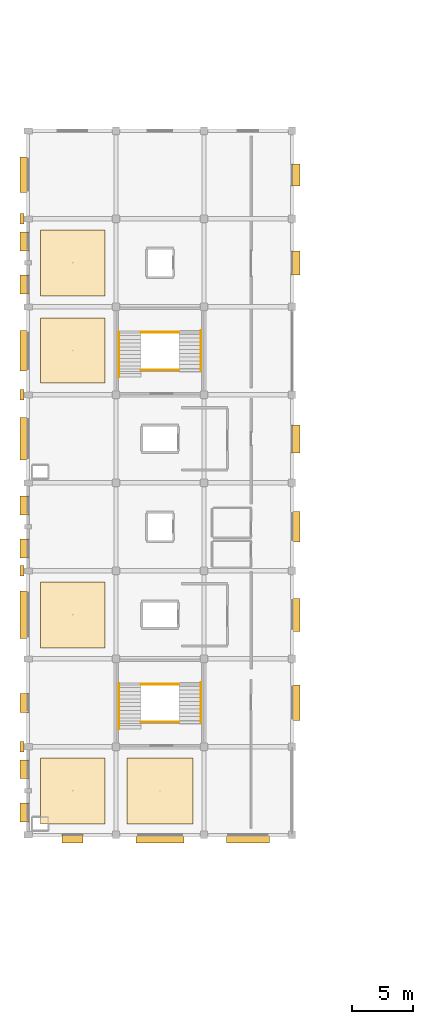
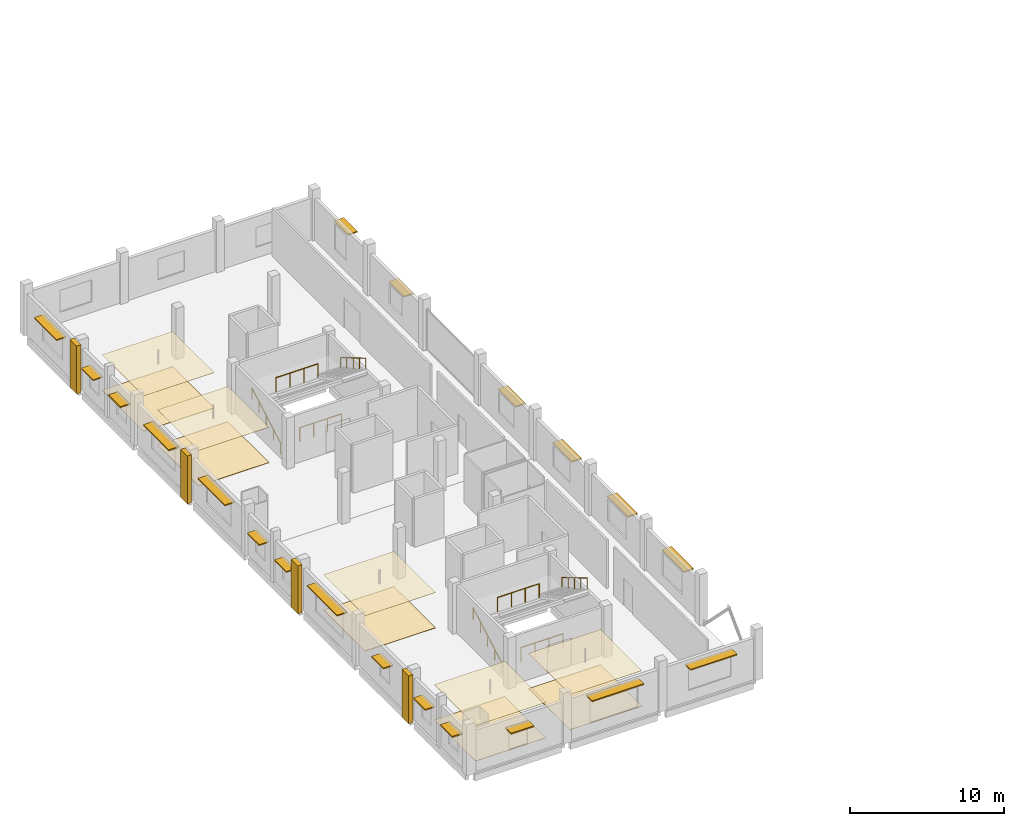
# One storey, part 25 of 26: 20 shading devices, 14 coverings, 8 railings.
"""IFC4 building model written with IfcOpenShell, lengths in metres."""

import ifcopenshell
import ifcopenshell.guid

model = None  # the IFC model being written
_history = None  # IfcOwnerHistory: only IFC2X3 demands one
_inside = {}  # id of a spatial element -> (the spatial element, [elements in it])
_under = {}  # id of a project, library or spatial element -> (it, [spatial elements below it])
_declared = {}  # id of a project -> (the project, [libraries it declares])
_typed = {}  # id of a type object -> (the type object, [elements of that type])
_made_of = {}  # id of a material, layer set ... -> (it, [elements and type objects made of it])


def new_model(schema):
    """Start an empty IFC model of exactly this schema.

    Asked for "IFC4X3", IfcOpenShell would pick the latest addendum, in which some entities
    have other attributes; the version numbers below select the first issue.
    IFC2X3 requires an IfcOwnerHistory on every rooted entity: one is made here for all.
    """
    global model, _history
    if schema == "IFC4X3":
        model = ifcopenshell.file(schema_version=(4, 3, 0, 0))
    else:
        model = ifcopenshell.file(schema=schema)
    _inside.clear()
    _under.clear()
    _declared.clear()
    _typed.clear()
    _made_of.clear()
    _history = None
    if model.schema == "IFC2X3":
        org = make("IfcOrganization", Name="unknown")
        user = make(
            "IfcPersonAndOrganization",
            ThePerson=make("IfcPerson", FamilyName="unknown"),
            TheOrganization=org,
        )
        app = make(
            "IfcApplication",
            ApplicationDeveloper=org,
            Version="unknown",
            ApplicationFullName="unknown",
            ApplicationIdentifier="unknown",
        )
        _history = make(
            "IfcOwnerHistory",
            OwningUser=user,
            OwningApplication=app,
            ChangeAction="ADDED",
            CreationDate=0,
        )
    return model


def make(cls, **values):
    """One entity of the class cls with the attributes given. An attribute that is None is left unset."""
    return model.create_entity(
        cls, **{name: value for name, value in values.items() if value is not None}
    )


def rooted(cls, **values):
    """An entity with a GlobalId (a new one), such as an element, a storey or a relation."""
    return make(cls, GlobalId=ifcopenshell.guid.new(), OwnerHistory=_history, **values)


def si_unit(unit_type, name, prefix=None):
    """IfcSIUnit, for example si_unit("LENGTHUNIT", "METRE", prefix="MILLI")."""
    return make("IfcSIUnit", UnitType=unit_type, Prefix=prefix, Name=name)


def assignment(units):
    """IfcUnitAssignment: the units of a project."""
    return None if units is None else make("IfcUnitAssignment", Units=units)


def point(xyz):
    """IfcCartesianPoint."""
    return None if xyz is None else make("IfcCartesianPoint", Coordinates=xyz)


def direction(xyz):
    """IfcDirection."""
    return None if xyz is None else make("IfcDirection", DirectionRatios=xyz)


def frame(location, z_axis=None, x_axis=None):
    """IfcAxis2Placement3D, a coordinate frame: its origin and axes. An axis left out is left unset."""
    return make(
        "IfcAxis2Placement3D",
        Location=point(location),
        Axis=direction(z_axis),
        RefDirection=direction(x_axis),
    )


def frame_2d(location, x_axis=None):
    """IfcAxis2Placement2D, a coordinate frame in the plane: its origin and x axis."""
    return make(
        "IfcAxis2Placement2D", Location=point(location), RefDirection=direction(x_axis)
    )


def origin():
    """The frame at (0, 0, 0) with its axes left unset."""
    return frame((0.0, 0.0, 0.0))


def origin_2d():
    """The frame at (0, 0) in the plane with its x axis left unset."""
    return frame_2d((0.0, 0.0))


def place(relative_to, where):
    """IfcLocalPlacement: puts the frame where relative to a parent placement (None: the world)."""
    return make(
        "IfcLocalPlacement", PlacementRelTo=relative_to, RelativePlacement=where
    )


def context(
    kind, dimensions, precision=None, world=None, true_north=None, identifier=None
):
    """IfcGeometricRepresentationContext, for example the 3D "Model" context."""
    return make(
        "IfcGeometricRepresentationContext",
        ContextIdentifier=identifier,
        ContextType=kind,
        CoordinateSpaceDimension=dimensions,
        Precision=precision,
        WorldCoordinateSystem=world,
        TrueNorth=true_north,
    )


def subcontext(parent, identifier, kind, view, scale=None):
    """IfcGeometricRepresentationSubContext, for example "Body" below "Model"."""
    return make(
        "IfcGeometricRepresentationSubContext",
        ContextIdentifier=identifier,
        ContextType=kind,
        ParentContext=parent,
        TargetScale=scale,
        TargetView=view,
    )


def project(units=None, contexts=None):
    """IfcProject with its units and contexts."""
    return rooted(
        "IfcProject",
        Name="project",
        RepresentationContexts=contexts,
        UnitsInContext=assignment(units),
    )


def spatial(cls, under=None, at=None, **own):
    """A site, building, storey or space (cls), placed at a placement, below another one or the project."""
    s = rooted(cls, ObjectPlacement=at, **own)
    if under is not None:
        _under.setdefault(under.id(), (under, []))[1].append(s)
    return s


def polyline(points):
    """IfcPolyline through the points."""
    return make("IfcPolyline", Points=[point(p) for p in points])


def profile(cls, at=None, kind="AREA", **sizes):
    """A parametric profile (cls). Its sizes go by their IFC names, for example OverallWidth=200.0."""
    return make(cls, ProfileType=kind, Position=at, **sizes)


def rectangle(**sizes):
    """IfcRectangleProfileDef."""
    return profile("IfcRectangleProfileDef", **sizes)


def circle(**sizes):
    """IfcCircleProfileDef."""
    return profile("IfcCircleProfileDef", **sizes)


def outline(outer, holes=None, kind="AREA"):
    """IfcArbitraryClosedProfileDef: a profile drawn as a closed curve; with holes, ...WithVoids."""
    if holes is None:
        return make("IfcArbitraryClosedProfileDef", ProfileType=kind, OuterCurve=outer)
    return make(
        "IfcArbitraryProfileDefWithVoids",
        ProfileType=kind,
        OuterCurve=outer,
        InnerCurves=holes,
    )


def extrude(swept, where, along, depth):
    """IfcExtrudedAreaSolid: the profile swept, set in the frame where, extruded along a direction by depth."""
    return make(
        "IfcExtrudedAreaSolid",
        SweptArea=swept,
        Position=where,
        ExtrudedDirection=direction(along),
        Depth=depth,
    )


def shape(context_of_items, identifier, shape_type, items):
    """IfcShapeRepresentation: the items that make up one representation, for example the "Body"."""
    return make(
        "IfcShapeRepresentation",
        ContextOfItems=context_of_items,
        RepresentationIdentifier=identifier,
        RepresentationType=shape_type,
        Items=items,
    )


def material(Name=None, Category=None):
    """IfcMaterial."""
    return make("IfcMaterial", Name=Name, Category=Category)


def layer(
    of_material, thickness, ventilated=None, Name=None, Category=None, Priority=None
):
    """IfcMaterialLayer: one layer of a wall or slab, of a material (None: an air gap)."""
    return make(
        "IfcMaterialLayer",
        Material=of_material,
        LayerThickness=thickness,
        IsVentilated=ventilated,
        Name=Name,
        Category=Category,
        Priority=Priority,
    )


def layer_set(layers, Name=None):
    """IfcMaterialLayerSet."""
    return make("IfcMaterialLayerSet", MaterialLayers=layers, LayerSetName=Name)


def made_of(thing, what):
    """Note that an element or type object is made of a material, layer set ...; save() writes the relation."""
    if what is not None:
        _made_of.setdefault(what.id(), (what, []))[1].append(thing)
    return thing


def type_object(cls, material=None, **own):
    """A type object (cls), such as IfcWallType, which elements share."""
    return made_of(rooted(cls, **own), material)


def element(
    cls,
    number,
    at=None,
    inside=None,
    cuts=None,
    type_object=None,
    material=None,
    context=None,
    identifier="Body",
    shape_type=None,
    held_by="IfcProductDefinitionShape",
    body=None,
    shapes=None,
    **own,
):
    """One element of the class cls, such as IfcWall. Its Tag is "e" and its number.

    at: its placement. inside: the storey or other place that contains it. cuts: it is an
    opening in that element (IfcRelVoidsElement). A single representation is given by context,
    identifier, shape_type and body (its items); several are given by shapes. held_by: the class
    of the entity that holds the representations. save() writes the other relations.
    """
    e = rooted(cls, Tag="e%d" % number, ObjectPlacement=at, **own)
    if body is not None:
        shapes = [shape(context, identifier, shape_type, body)]
    if shapes is not None:
        e.Representation = make(held_by, Representations=shapes)
    if inside is not None:
        _inside.setdefault(inside.id(), (inside, []))[1].append(e)
    if cuts is not None:
        rooted(
            "IfcRelVoidsElement", RelatingBuildingElement=cuts, RelatedOpeningElement=e
        )
    if type_object is not None:
        _typed.setdefault(type_object.id(), (type_object, []))[1].append(e)
    return made_of(e, material)


def aggregate(whole, parts):
    """IfcRelAggregates: a whole, such as a stair, and the parts it consists of."""
    return rooted("IfcRelAggregates", RelatingObject=whole, RelatedObjects=parts)


def save(model, path):
    """Write the relations noted so far, then the file.

    IfcRelAggregates (storeys below a building ...), IfcRelContainedInSpatialStructure (elements
    in a storey), IfcRelDefinesByType, IfcRelAssociatesMaterial and IfcRelDeclares: one each for
    every whole, place, type object, material and project.
    """
    for whole, parts in _under.values():
        aggregate(whole, parts)
    for where, things in _inside.values():
        rooted(
            "IfcRelContainedInSpatialStructure",
            RelatedElements=things,
            RelatingStructure=where,
        )
    for kind, things in _typed.values():
        rooted("IfcRelDefinesByType", RelatedObjects=things, RelatingType=kind)
    for what, things in _made_of.values():
        rooted("IfcRelAssociatesMaterial", RelatedObjects=things, RelatingMaterial=what)
    for by, libraries in _declared.values():
        rooted("IfcRelDeclares", RelatingContext=by, RelatedDefinitions=libraries)
    model.write(path)


model = new_model("IFC4")

# Units and contexts
model_context = context("Model", 3, precision=1e-05, world=origin(), true_north=direction((0.0, 1.0)))
body_context = subcontext(model_context, "Body", "Model", "MODEL_VIEW")
ifc_project = project(units=[si_unit("LENGTHUNIT", "METRE"), si_unit("AREAUNIT", "SQUARE_METRE"), si_unit("VOLUMEUNIT", "CUBIC_METRE"), si_unit("PLANEANGLEUNIT", "RADIAN"), si_unit("MASSUNIT", "GRAM", prefix="KILO")], contexts=[model_context])

# Site, building, storey
site_placement = place(None, origin())
site = spatial("IfcSite", under=ifc_project, at=site_placement, CompositionType="ELEMENT")
building_placement = place(site_placement, origin())
building = spatial("IfcBuilding", under=site, at=building_placement, Name="Kangsadwip Square Police Headquarters", CompositionType="ELEMENT")
storey_placement = place(building_placement, frame((0.0, 0.0, 25.64990234375)))
storey = spatial("IfcBuildingStorey", under=building, at=storey_placement, Name="L06", CompositionType="ELEMENT", Elevation=25.64990234375)

# Railings
ifc_material_1 = material(Name="Structural steel IS 2062 E250 (Grade 250, 250 MPa)", Category="steel")
railing_type_1 = type_object("IfcRailingType", Name="BalustradeGuard1100", PredefinedType="BALUSTRADE", material=ifc_material_1)
for number, where, name in (
    (1, (9.22998046875, 45.239990234375, 0.0), "Stair Guard ST-01 L06-28"),
    (2, (9.22998046875, 48.320068359375, 2.106201171875), "Stair Guard ST-01 L06-29"),
    (3, (9.22998046875, 74.0400390625, 0.0), "Stair Guard ST-02 L06-63"),
    (4, (9.22998046875, 77.1201171875, 2.106201171875), "Stair Guard ST-02 L06-64"),
):
    element("IfcRailing", number, at=place(storey_placement, frame(where)), inside=storey, type_object=railing_type_1, Name=name, PredefinedType="BALUSTRADE", context=body_context, shape_type="SweptSolid", body=[
        extrude(circle(Radius=0.02392578125, at=origin_2d()), frame((0.0, 0.0, 1.09619140625), z_axis=(1.0, 0.0, 0.0), x_axis=(0.0, 1.0, 0.0)), (0.0, 0.0, 1.0), 3.14013671875),
        extrude(circle(Radius=0.02099609375, at=origin_2d()), origin(), (0.0, 0.0, 1.0), 1.072021484375),
        extrude(circle(Radius=0.02099609375, at=origin_2d()), frame((1.046630859375, 0.0, 0.0)), (0.0, 0.0, 1.0), 1.072021484375),
        extrude(circle(Radius=0.02099609375, at=origin_2d()), frame((2.093505859375, 0.0, 0.0)), (0.0, 0.0, 1.0), 1.072021484375),
        extrude(circle(Radius=0.02099609375, at=origin_2d()), frame((3.14013671875, 0.0, 0.0)), (0.0, 0.0, 1.0), 1.072021484375),
    ])

# Coverings
ifc_material_2 = material(Name="Seamless anti-static epoxy and polished Kota stone interior flooring", Category="masonry")
ifc_layer_1 = layer(ifc_material_2, 0.02001953125)
ifc_layer_set_1 = layer_set([ifc_layer_1], Name="Seamless anti-static epoxy and polished Kota stone interior flooring")
covering_type_1 = type_object("IfcCoveringType", Name="InteriorStoneEpoxyFloor", PredefinedType="FLOORING", material=ifc_layer_set_1)
covering_1_placement = place(storey_placement, origin())
element("IfcCovering", 5, at=covering_1_placement, inside=storey, type_object=covering_type_1, Name="Interior Floor Finish L06-176", PredefinedType="FLOORING", context=body_context, shape_type="SweptSolid", body=[
    extrude(outline(polyline([(1.0, 36.89990234375), (6.300048828125, 36.89990234375), (6.300048828125, 42.300048828125), (1.0, 42.300048828125), (1.0, 36.89990234375)])), origin(), (0.0, 0.0, 1.0), 0.02001953125),
])
covering_2_placement = place(storey_placement, origin())
element("IfcCovering", 6, at=covering_2_placement, inside=storey, type_object=covering_type_1, Name="Interior Floor Finish L06-177", PredefinedType="FLOORING", context=body_context, shape_type="SweptSolid", body=[
    extrude(outline(polyline([(8.10009765625, 36.89990234375), (13.5, 36.89990234375), (13.5, 42.300048828125), (8.10009765625, 42.300048828125), (8.10009765625, 36.89990234375)])), origin(), (0.0, 0.0, 1.0), 0.02001953125),
])
covering_3_placement = place(storey_placement, origin())
element("IfcCovering", 7, at=covering_3_placement, inside=storey, type_object=covering_type_1, Name="Interior Floor Finish L06-178", PredefinedType="FLOORING", context=body_context, shape_type="SweptSolid", body=[
    extrude(outline(polyline([(1.0, 51.300048828125), (6.300048828125, 51.300048828125), (6.300048828125, 56.699951171875), (1.0, 56.699951171875), (1.0, 51.300048828125)])), origin(), (0.0, 0.0, 1.0), 0.02001953125),
])
covering_4_placement = place(storey_placement, origin())
element("IfcCovering", 8, at=covering_4_placement, inside=storey, type_object=covering_type_1, Name="Interior Floor Finish L06-179", PredefinedType="FLOORING", context=body_context, shape_type="SweptSolid", body=[
    extrude(outline(polyline([(1.0, 72.949951171875), (6.300048828125, 72.949951171875), (6.300048828125, 78.300048828125), (1.0, 78.300048828125), (1.0, 72.949951171875)])), origin(), (0.0, 0.0, 1.0), 0.02001953125),
])
covering_5_placement = place(storey_placement, origin())
element("IfcCovering", 9, at=covering_5_placement, inside=storey, type_object=covering_type_1, Name="Interior Floor Finish L06-180", PredefinedType="FLOORING", context=body_context, shape_type="SweptSolid", body=[
    extrude(outline(polyline([(1.0, 80.10009765625), (6.300048828125, 80.10009765625), (6.300048828125, 85.5), (1.0, 85.5), (1.0, 80.10009765625)])), origin(), (0.0, 0.0, 1.0), 0.02001953125),
])

# Railings
ifc_material_3 = material(Name="Structural steel IS 2062 E250 (Grade 250, 250 MPa)", Category="steel")
railing_type_2 = type_object("IfcRailingType", Name="StairPitchHandrail900", PredefinedType="HANDRAIL", material=ifc_material_3)
railing_1_placement = place(storey_placement, frame((7.43994140625, 44.639892578125, 0.0)))
element("IfcRailing", 10, at=railing_1_placement, inside=storey, type_object=railing_type_2, Name="Stair Handrail ST-01 L06-30", PredefinedType="HANDRAIL", context=body_context, shape_type="SweptSolid", body=[
    extrude(circle(Radius=0.02392578125, at=origin_2d()), frame((0.0, 0.0, 0.8759765625), z_axis=(0.0, 0.870214817555, 0.49267247874), x_axis=(-1.0, 0.0, 0.0)), (0.0, 0.0, 1.0), 4.275146484375),
    extrude(circle(Radius=0.02099609375, at=origin_2d()), origin(), (0.0, 0.0, 1.0), 0.851806640625),
    extrude(circle(Radius=0.02099609375, at=origin_2d()), frame((0.0, 0.93017578125, 0.526611328125)), (0.0, 0.0, 1.0), 0.851806640625),
    extrude(circle(Radius=0.02099609375, at=origin_2d()), frame((0.0, 1.860107421875, 1.05322265625)), (0.0, 0.0, 1.0), 0.851806640625),
    extrude(circle(Radius=0.02099609375, at=origin_2d()), frame((0.0, 2.7900390625, 1.57958984375)), (0.0, 0.0, 1.0), 0.851806640625),
    extrude(circle(Radius=0.02099609375, at=origin_2d()), frame((0.0, 3.72021484375, 2.106201171875)), (0.0, 0.0, 1.0), 0.851806640625),
])
railing_2_placement = place(storey_placement, frame((14.159912109375, 48.4599609375, 2.106201171875)))
element("IfcRailing", 11, at=railing_2_placement, inside=storey, type_object=railing_type_2, Name="Stair Handrail ST-01 L06-31", PredefinedType="HANDRAIL", context=body_context, shape_type="SweptSolid", body=[
    extrude(circle(Radius=0.02392578125, at=origin_2d()), frame((0.0, 0.0, 0.8759765625), z_axis=(0.0, -0.860276971572, 0.509826962981), x_axis=(1.0, 0.0, 0.0)), (0.0, 0.0, 1.0), 3.812744140625),
    extrude(circle(Radius=0.02099609375, at=origin_2d()), origin(), (0.0, 0.0, 1.0), 0.851806640625),
    extrude(circle(Radius=0.02099609375, at=origin_2d()), frame((0.0, -0.820068359375, 0.48583984375)), (0.0, 0.0, 1.0), 0.851806640625),
    extrude(circle(Radius=0.02099609375, at=origin_2d()), frame((0.0, -1.64013671875, 0.971923828125)), (0.0, 0.0, 1.0), 0.851806640625),
    extrude(circle(Radius=0.02099609375, at=origin_2d()), frame((0.0, -2.4599609375, 1.4580078125)), (0.0, 0.0, 1.0), 0.851806640625),
    extrude(circle(Radius=0.02099609375, at=origin_2d()), frame((0.0, -3.280029296875, 1.94384765625)), (0.0, 0.0, 1.0), 0.851806640625),
])
railing_3_placement = place(storey_placement, frame((7.43994140625, 73.43994140625, 0.0)))
element("IfcRailing", 12, at=railing_3_placement, inside=storey, type_object=railing_type_2, Name="Stair Handrail ST-02 L06-65", PredefinedType="HANDRAIL", context=body_context, shape_type="SweptSolid", body=[
    extrude(circle(Radius=0.02392578125, at=origin_2d()), frame((0.0, 0.0, 0.8759765625), z_axis=(0.0, 0.870200954866, 0.492696963813), x_axis=(-1.0, 0.0, 0.0)), (0.0, 0.0, 1.0), 4.27490234375),
    extrude(circle(Radius=0.02099609375, at=origin_2d()), origin(), (0.0, 0.0, 1.0), 0.851806640625),
    extrude(circle(Radius=0.02099609375, at=origin_2d()), frame((0.0, 0.929931640625, 0.526611328125)), (0.0, 0.0, 1.0), 0.851806640625),
    extrude(circle(Radius=0.02099609375, at=origin_2d()), frame((0.0, 1.85986328125, 1.05322265625)), (0.0, 0.0, 1.0), 0.851806640625),
    extrude(circle(Radius=0.02099609375, at=origin_2d()), frame((0.0, 2.7900390625, 1.57958984375)), (0.0, 0.0, 1.0), 0.851806640625),
    extrude(circle(Radius=0.02099609375, at=origin_2d()), frame((0.0, 3.719970703125, 2.106201171875)), (0.0, 0.0, 1.0), 0.851806640625),
])
railing_4_placement = place(storey_placement, frame((14.159912109375, 77.260009765625, 2.106201171875)))
element("IfcRailing", 13, at=railing_4_placement, inside=storey, type_object=railing_type_2, Name="Stair Handrail ST-02 L06-66", PredefinedType="HANDRAIL", context=body_context, shape_type="SweptSolid", body=[
    extrude(circle(Radius=0.02392578125, at=origin_2d()), frame((0.0, 0.0, 0.8759765625), z_axis=(0.0, -0.860276971572, 0.509826962981), x_axis=(1.0, 0.0, 0.0)), (0.0, 0.0, 1.0), 3.812744140625),
    extrude(circle(Radius=0.02099609375, at=origin_2d()), origin(), (0.0, 0.0, 1.0), 0.851806640625),
    extrude(circle(Radius=0.02099609375, at=origin_2d()), frame((0.0, -0.820068359375, 0.48583984375)), (0.0, 0.0, 1.0), 0.851806640625),
    extrude(circle(Radius=0.02099609375, at=origin_2d()), frame((0.0, -1.64013671875, 0.971923828125)), (0.0, 0.0, 1.0), 0.851806640625),
    extrude(circle(Radius=0.02099609375, at=origin_2d()), frame((0.0, -2.4599609375, 1.4580078125)), (0.0, 0.0, 1.0), 0.851806640625),
    extrude(circle(Radius=0.02099609375, at=origin_2d()), frame((0.0, -3.280029296875, 1.94384765625)), (0.0, 0.0, 1.0), 0.851806640625),
])

# Coverings
ifc_material_4 = material(Name="Perforated mineral-fibre and acoustic baffle suspended ceiling", Category="wood")
ifc_layer_2 = layer(ifc_material_4, 0.02490234375)
ifc_layer_set_2 = layer_set([ifc_layer_2], Name="Perforated mineral-fibre and acoustic baffle suspended ceiling")
covering_type_2 = type_object("IfcCoveringType", Name="SuspendedAcousticCeiling", PredefinedType="CEILING", material=ifc_layer_set_2)
covering_6_placement = place(storey_placement, frame((0.0, 0.0, 2.800048828125)))
element("IfcCovering", 14, at=covering_6_placement, inside=storey, type_object=covering_type_2, Name="Suspended Acoustic Ceiling L06-176", PredefinedType="CEILING", context=body_context, shape_type="SweptSolid", body=[
    extrude(outline(polyline([(1.0, 36.89990234375), (6.300048828125, 36.89990234375), (6.300048828125, 42.300048828125), (1.0, 42.300048828125), (1.0, 36.89990234375)])), origin(), (0.0, 0.0, 1.0), 0.025146484375),
])
covering_7_placement = place(storey_placement, frame((0.0, 0.0, 2.800048828125)))
element("IfcCovering", 15, at=covering_7_placement, inside=storey, type_object=covering_type_2, Name="Suspended Acoustic Ceiling L06-177", PredefinedType="CEILING", context=body_context, shape_type="SweptSolid", body=[
    extrude(outline(polyline([(8.10009765625, 36.89990234375), (13.5, 36.89990234375), (13.5, 42.300048828125), (8.10009765625, 42.300048828125), (8.10009765625, 36.89990234375)])), origin(), (0.0, 0.0, 1.0), 0.025146484375),
])
covering_8_placement = place(storey_placement, frame((0.0, 0.0, 2.800048828125)))
element("IfcCovering", 16, at=covering_8_placement, inside=storey, type_object=covering_type_2, Name="Suspended Acoustic Ceiling L06-178", PredefinedType="CEILING", context=body_context, shape_type="SweptSolid", body=[
    extrude(outline(polyline([(1.0, 51.300048828125), (6.300048828125, 51.300048828125), (6.300048828125, 56.699951171875), (1.0, 56.699951171875), (1.0, 51.300048828125)])), origin(), (0.0, 0.0, 1.0), 0.025146484375),
])
covering_9_placement = place(storey_placement, frame((0.0, 0.0, 2.800048828125)))
element("IfcCovering", 17, at=covering_9_placement, inside=storey, type_object=covering_type_2, Name="Suspended Acoustic Ceiling L06-179", PredefinedType="CEILING", context=body_context, shape_type="SweptSolid", body=[
    extrude(outline(polyline([(1.0, 72.949951171875), (6.300048828125, 72.949951171875), (6.300048828125, 78.300048828125), (1.0, 78.300048828125), (1.0, 72.949951171875)])), origin(), (0.0, 0.0, 1.0), 0.025146484375),
])
covering_10_placement = place(storey_placement, frame((0.0, 0.0, 2.800048828125)))
element("IfcCovering", 18, at=covering_10_placement, inside=storey, type_object=covering_type_2, Name="Suspended Acoustic Ceiling L06-180", PredefinedType="CEILING", context=body_context, shape_type="SweptSolid", body=[
    extrude(outline(polyline([(1.0, 80.10009765625), (6.300048828125, 80.10009765625), (6.300048828125, 85.5), (1.0, 85.5), (1.0, 80.10009765625)])), origin(), (0.0, 0.0, 1.0), 0.025146484375),
])
ifc_material_5 = material(Name="Glazed architectural terracotta masonry rainscreen", Category="masonry")
ifc_layer_3 = layer(ifc_material_5, 0.034912109375)
ifc_layer_set_3 = layer_set([ifc_layer_3], Name="Glazed architectural terracotta masonry rainscreen")
covering_type_3 = type_object("IfcCoveringType", Name="TerracottaPierCladding", PredefinedType="CLADDING", material=ifc_layer_set_3)
covering_11_placement = place(storey_placement, origin())
element("IfcCovering", 19, at=covering_11_placement, inside=storey, type_object=covering_type_3, Name="Terracotta Pier Cladding L06-141", PredefinedType="CLADDING", context=body_context, shape_type="SweptSolid", body=[
    extrude(outline(polyline([(-0.64990234375, 42.760009765625), (-0.330078125, 42.760009765625), (-0.330078125, 43.639892578125), (-0.64990234375, 43.639892578125), (-0.64990234375, 42.760009765625)])), origin(), (0.0, 0.0, 1.0), 3.800048828125),
])
covering_12_placement = place(storey_placement, origin())
element("IfcCovering", 20, at=covering_12_placement, inside=storey, type_object=covering_type_3, Name="Terracotta Pier Cladding L06-142", PredefinedType="CLADDING", context=body_context, shape_type="SweptSolid", body=[
    extrude(outline(polyline([(-0.64990234375, 57.159912109375), (-0.330078125, 57.159912109375), (-0.330078125, 58.0400390625), (-0.64990234375, 58.0400390625), (-0.64990234375, 57.159912109375)])), origin(), (0.0, 0.0, 1.0), 3.800048828125),
])
covering_13_placement = place(storey_placement, origin())
element("IfcCovering", 21, at=covering_13_placement, inside=storey, type_object=covering_type_3, Name="Terracotta Pier Cladding L06-143", PredefinedType="CLADDING", context=body_context, shape_type="SweptSolid", body=[
    extrude(outline(polyline([(-0.64990234375, 71.56005859375), (-0.330078125, 71.56005859375), (-0.330078125, 72.43994140625), (-0.64990234375, 72.43994140625), (-0.64990234375, 71.56005859375)])), origin(), (0.0, 0.0, 1.0), 3.800048828125),
])
covering_14_placement = place(storey_placement, origin())
element("IfcCovering", 22, at=covering_14_placement, inside=storey, type_object=covering_type_3, Name="Terracotta Pier Cladding L06-144", PredefinedType="CLADDING", context=body_context, shape_type="SweptSolid", body=[
    extrude(outline(polyline([(-0.64990234375, 85.9599609375), (-0.330078125, 85.9599609375), (-0.330078125, 86.840087890625), (-0.64990234375, 86.840087890625), (-0.64990234375, 85.9599609375)])), origin(), (0.0, 0.0, 1.0), 3.800048828125),
])

# Shading devices
ifc_material_6 = material(Name="Architectural terracotta and anodised aluminium AW-6061-T6", Category="aluminium")
shading_device_type = type_object("IfcShadingDeviceType", Name="TerracottaChhajjaAwning", PredefinedType="AWNING", material=ifc_material_6)
shading_device_1_placement = place(storey_placement, frame((3.625, 35.699951171875, 2.46484375), z_axis=(0.0, 0.0, 1.0), x_axis=(1.0, 0.0, 0.0)))
element("IfcShadingDevice", 23, at=shading_device_1_placement, inside=storey, type_object=shading_device_type, Name="Terracotta Chhajja Hood CHJ-L06-0306", PredefinedType="AWNING", context=body_context, shape_type="SweptSolid", body=[
    extrude(rectangle(XDim=1.699951171875, YDim=0.719970703125, at=origin_2d()), origin(), (0.0, 0.0, 1.0), 0.090087890625),
])
shading_device_2_placement = place(storey_placement, frame((10.800048828125, 35.699951171875, 2.9150390625), z_axis=(0.0, 0.0, 1.0), x_axis=(1.0, 0.0, 0.0)))
element("IfcShadingDevice", 24, at=shading_device_2_placement, inside=storey, type_object=shading_device_type, Name="Terracotta Chhajja Hood CHJ-L06-0307", PredefinedType="AWNING", context=body_context, shape_type="SweptSolid", body=[
    extrude(rectangle(XDim=3.89990234375, YDim=0.719970703125, at=origin_2d()), origin(), (0.0, 0.0, 1.0), 0.090087890625),
])
shading_device_3_placement = place(storey_placement, frame((18.0, 35.699951171875, 2.81494140625), z_axis=(0.0, 0.0, 1.0), x_axis=(1.0, 0.0, 0.0)))
element("IfcShadingDevice", 25, at=shading_device_3_placement, inside=storey, type_object=shading_device_type, Name="Terracotta Chhajja Hood CHJ-L06-0308", PredefinedType="AWNING", context=body_context, shape_type="SweptSolid", body=[
    extrude(rectangle(XDim=3.5, YDim=0.719970703125, at=origin_2d()), origin(), (0.0, 0.0, 1.0), 0.090087890625),
])
for number, where, z_axis, x_axis, name in (
    (26, (-0.300048828125, 37.83740234375, 2.365234375), (0.0, 0.0, 1.0), (0.0, 1.0, 0.0), "Terracotta Chhajja Hood CHJ-L06-0312"),
    (27, (-0.300048828125, 41.362548828125, 2.365234375), (0.0, 0.0, 1.0), (0.0, 1.0, 0.0), "Terracotta Chhajja Hood CHJ-L06-0313"),
    (28, (-0.300048828125, 46.800048828125, 2.365234375), (0.0, 0.0, 1.0), (0.0, 1.0, 0.0), "Terracotta Chhajja Hood CHJ-L06-0314"),
):
    element("IfcShadingDevice", number, at=place(storey_placement, frame(where, z_axis=z_axis, x_axis=x_axis)), inside=storey, type_object=shading_device_type, Name=name, PredefinedType="AWNING", context=body_context, shape_type="SweptSolid", body=[
        extrude(rectangle(XDim=1.550048828125, YDim=0.719970703125, at=origin_2d()), origin(), (0.0, 0.0, 1.0), 0.090087890625),
    ])
shading_device_4_placement = place(storey_placement, frame((-0.300048828125, 54.0, 2.9150390625), z_axis=(0.0, 0.0, 1.0), x_axis=(0.0, 1.0, 0.0)))
element("IfcShadingDevice", 29, at=shading_device_4_placement, inside=storey, type_object=shading_device_type, Name="Terracotta Chhajja Hood CHJ-L06-0315", PredefinedType="AWNING", context=body_context, shape_type="SweptSolid", body=[
    extrude(rectangle(XDim=3.89990234375, YDim=0.719970703125, at=origin_2d()), origin(), (0.0, 0.0, 1.0), 0.090087890625),
])
for number, where, z_axis, x_axis, name in (
    (30, (-0.300048828125, 59.4375, 2.365234375), (0.0, 0.0, 1.0), (0.0, 1.0, 0.0), "Terracotta Chhajja Hood CHJ-L06-0316"),
    (31, (-0.300048828125, 62.96240234375, 2.365234375), (0.0, 0.0, 1.0), (0.0, 1.0, 0.0), "Terracotta Chhajja Hood CHJ-L06-0317"),
):
    element("IfcShadingDevice", number, at=place(storey_placement, frame(where, z_axis=z_axis, x_axis=x_axis)), inside=storey, type_object=shading_device_type, Name=name, PredefinedType="AWNING", context=body_context, shape_type="SweptSolid", body=[
        extrude(rectangle(XDim=1.550048828125, YDim=0.719970703125, at=origin_2d()), origin(), (0.0, 0.0, 1.0), 0.090087890625),
    ])
shading_device_5_placement = place(storey_placement, frame((-0.300048828125, 68.39990234375, 2.81494140625), z_axis=(0.0, 0.0, 1.0), x_axis=(0.0, 1.0, 0.0)))
element("IfcShadingDevice", 32, at=shading_device_5_placement, inside=storey, type_object=shading_device_type, Name="Terracotta Chhajja Hood CHJ-L06-0318", PredefinedType="AWNING", context=body_context, shape_type="SweptSolid", body=[
    extrude(rectangle(XDim=3.5, YDim=0.719970703125, at=origin_2d()), origin(), (0.0, 0.0, 1.0), 0.090087890625),
])
shading_device_6_placement = place(storey_placement, frame((-0.300048828125, 75.60009765625, 2.76513671875), z_axis=(0.0, 0.0, 1.0), x_axis=(0.0, 1.0, 0.0)))
element("IfcShadingDevice", 33, at=shading_device_6_placement, inside=storey, type_object=shading_device_type, Name="Terracotta Chhajja Hood CHJ-L06-0319", PredefinedType="AWNING", context=body_context, shape_type="SweptSolid", body=[
    extrude(rectangle(XDim=3.300048828125, YDim=0.719970703125, at=origin_2d()), origin(), (0.0, 0.0, 1.0), 0.090087890625),
])
for number, where, z_axis, x_axis, name in (
    (34, (-0.300048828125, 81.03759765625, 2.365234375), (0.0, 0.0, 1.0), (0.0, 1.0, 0.0), "Terracotta Chhajja Hood CHJ-L06-0320"),
    (35, (-0.300048828125, 84.5625, 2.365234375), (0.0, 0.0, 1.0), (0.0, 1.0, 0.0), "Terracotta Chhajja Hood CHJ-L06-0321"),
):
    element("IfcShadingDevice", number, at=place(storey_placement, frame(where, z_axis=z_axis, x_axis=x_axis)), inside=storey, type_object=shading_device_type, Name=name, PredefinedType="AWNING", context=body_context, shape_type="SweptSolid", body=[
        extrude(rectangle(XDim=1.550048828125, YDim=0.719970703125, at=origin_2d()), origin(), (0.0, 0.0, 1.0), 0.090087890625),
    ])
for number, where, z_axis, x_axis, name in (
    (36, (-0.300048828125, 90.0, 2.6650390625), (0.0, 0.0, 1.0), (0.0, 1.0, 0.0), "Terracotta Chhajja Hood CHJ-L06-0322"),
    (37, (21.89990234375, 46.800048828125, 2.6650390625), (0.0, 0.0, 1.0), (0.0, 1.0, 0.0), "Terracotta Chhajja Hood CHJ-L06-0323"),
):
    element("IfcShadingDevice", number, at=place(storey_placement, frame(where, z_axis=z_axis, x_axis=x_axis)), inside=storey, type_object=shading_device_type, Name=name, PredefinedType="AWNING", context=body_context, shape_type="SweptSolid", body=[
        extrude(rectangle(XDim=2.89990234375, YDim=0.719970703125, at=origin_2d()), origin(), (0.0, 0.0, 1.0), 0.090087890625),
    ])
shading_device_7_placement = place(storey_placement, frame((21.89990234375, 54.0, 2.615234375), z_axis=(0.0, 0.0, 1.0), x_axis=(0.0, 1.0, 0.0)))
element("IfcShadingDevice", 38, at=shading_device_7_placement, inside=storey, type_object=shading_device_type, Name="Terracotta Chhajja Hood CHJ-L06-0324", PredefinedType="AWNING", context=body_context, shape_type="SweptSolid", body=[
    extrude(rectangle(XDim=2.699951171875, YDim=0.719970703125, at=origin_2d()), origin(), (0.0, 0.0, 1.0), 0.090087890625),
])
shading_device_8_placement = place(storey_placement, frame((21.89990234375, 61.199951171875, 2.56494140625), z_axis=(0.0, 0.0, 1.0), x_axis=(0.0, 1.0, 0.0)))
element("IfcShadingDevice", 39, at=shading_device_8_placement, inside=storey, type_object=shading_device_type, Name="Terracotta Chhajja Hood CHJ-L06-0325", PredefinedType="AWNING", context=body_context, shape_type="SweptSolid", body=[
    extrude(rectangle(XDim=2.5, YDim=0.719970703125, at=origin_2d()), origin(), (0.0, 0.0, 1.0), 0.090087890625),
])
shading_device_9_placement = place(storey_placement, frame((21.89990234375, 68.39990234375, 2.51513671875), z_axis=(0.0, 0.0, 1.0), x_axis=(0.0, 1.0, 0.0)))
element("IfcShadingDevice", 40, at=shading_device_9_placement, inside=storey, type_object=shading_device_type, Name="Terracotta Chhajja Hood CHJ-L06-0326", PredefinedType="AWNING", context=body_context, shape_type="SweptSolid", body=[
    extrude(rectangle(XDim=2.300048828125, YDim=0.719970703125, at=origin_2d()), origin(), (0.0, 0.0, 1.0), 0.090087890625),
])
shading_device_10_placement = place(storey_placement, frame((21.89990234375, 82.800048828125, 2.4150390625), z_axis=(0.0, 0.0, 1.0), x_axis=(0.0, 1.0, 0.0)))
element("IfcShadingDevice", 41, at=shading_device_10_placement, inside=storey, type_object=shading_device_type, Name="Terracotta Chhajja Hood CHJ-L06-0327", PredefinedType="AWNING", context=body_context, shape_type="SweptSolid", body=[
    extrude(rectangle(XDim=1.949951171875, YDim=0.719970703125, at=origin_2d()), origin(), (0.0, 0.0, 1.0), 0.090087890625),
])
shading_device_11_placement = place(storey_placement, frame((21.89990234375, 90.0, 2.9150390625), z_axis=(0.0, 0.0, 1.0), x_axis=(0.0, 1.0, 0.0)))
element("IfcShadingDevice", 42, at=shading_device_11_placement, inside=storey, type_object=shading_device_type, Name="Terracotta Chhajja Hood CHJ-L06-0328", PredefinedType="AWNING", context=body_context, shape_type="SweptSolid", body=[
    extrude(rectangle(XDim=1.800048828125, YDim=0.719970703125, at=origin_2d()), origin(), (0.0, 0.0, 1.0), 0.090087890625),
])

save(model, "model.ifc")
